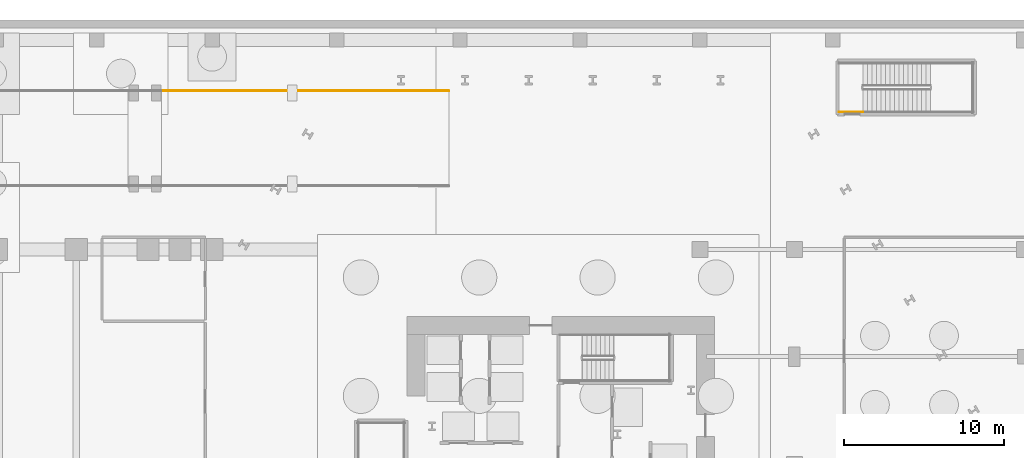
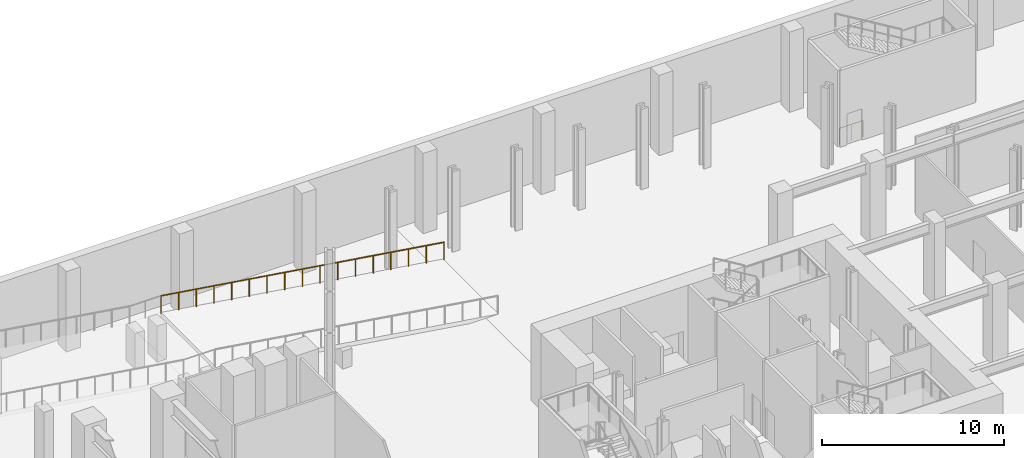
# One storey, part 14 of 16: 2 railings.
"""IFC4 building model written with IfcOpenShell, lengths in metres."""

import ifcopenshell
import ifcopenshell.guid

model = None  # the IFC model being written
_history = None  # IfcOwnerHistory: only IFC2X3 demands one
_inside = {}  # id of a spatial element -> (the spatial element, [elements in it])
_under = {}  # id of a project, library or spatial element -> (it, [spatial elements below it])
_declared = {}  # id of a project -> (the project, [libraries it declares])
_typed = {}  # id of a type object -> (the type object, [elements of that type])
_made_of = {}  # id of a material, layer set ... -> (it, [elements and type objects made of it])


def new_model(schema):
    """Start an empty IFC model of exactly this schema.

    Asked for "IFC4X3", IfcOpenShell would pick the latest addendum, in which some entities
    have other attributes; the version numbers below select the first issue.
    IFC2X3 requires an IfcOwnerHistory on every rooted entity: one is made here for all.
    """
    global model, _history
    if schema == "IFC4X3":
        model = ifcopenshell.file(schema_version=(4, 3, 0, 0))
    else:
        model = ifcopenshell.file(schema=schema)
    _inside.clear()
    _under.clear()
    _declared.clear()
    _typed.clear()
    _made_of.clear()
    _history = None
    if model.schema == "IFC2X3":
        org = make("IfcOrganization", Name="unknown")
        user = make(
            "IfcPersonAndOrganization",
            ThePerson=make("IfcPerson", FamilyName="unknown"),
            TheOrganization=org,
        )
        app = make(
            "IfcApplication",
            ApplicationDeveloper=org,
            Version="unknown",
            ApplicationFullName="unknown",
            ApplicationIdentifier="unknown",
        )
        _history = make(
            "IfcOwnerHistory",
            OwningUser=user,
            OwningApplication=app,
            ChangeAction="ADDED",
            CreationDate=0,
        )
    return model


def make(cls, **values):
    """One entity of the class cls with the attributes given. An attribute that is None is left unset."""
    return model.create_entity(
        cls, **{name: value for name, value in values.items() if value is not None}
    )


def rooted(cls, **values):
    """An entity with a GlobalId (a new one), such as an element, a storey or a relation."""
    return make(cls, GlobalId=ifcopenshell.guid.new(), OwnerHistory=_history, **values)


def si_unit(unit_type, name, prefix=None):
    """IfcSIUnit, for example si_unit("LENGTHUNIT", "METRE", prefix="MILLI")."""
    return make("IfcSIUnit", UnitType=unit_type, Prefix=prefix, Name=name)


def assignment(units):
    """IfcUnitAssignment: the units of a project."""
    return None if units is None else make("IfcUnitAssignment", Units=units)


def point(xyz):
    """IfcCartesianPoint."""
    return None if xyz is None else make("IfcCartesianPoint", Coordinates=xyz)


def direction(xyz):
    """IfcDirection."""
    return None if xyz is None else make("IfcDirection", DirectionRatios=xyz)


def frame(location, z_axis=None, x_axis=None):
    """IfcAxis2Placement3D, a coordinate frame: its origin and axes. An axis left out is left unset."""
    return make(
        "IfcAxis2Placement3D",
        Location=point(location),
        Axis=direction(z_axis),
        RefDirection=direction(x_axis),
    )


def frame_2d(location, x_axis=None):
    """IfcAxis2Placement2D, a coordinate frame in the plane: its origin and x axis."""
    return make(
        "IfcAxis2Placement2D", Location=point(location), RefDirection=direction(x_axis)
    )


def origin():
    """The frame at (0, 0, 0) with its axes left unset."""
    return frame((0.0, 0.0, 0.0))


def origin_2d():
    """The frame at (0, 0) in the plane with its x axis left unset."""
    return frame_2d((0.0, 0.0))


def place(relative_to, where):
    """IfcLocalPlacement: puts the frame where relative to a parent placement (None: the world)."""
    return make(
        "IfcLocalPlacement", PlacementRelTo=relative_to, RelativePlacement=where
    )


def context(
    kind, dimensions, precision=None, world=None, true_north=None, identifier=None
):
    """IfcGeometricRepresentationContext, for example the 3D "Model" context."""
    return make(
        "IfcGeometricRepresentationContext",
        ContextIdentifier=identifier,
        ContextType=kind,
        CoordinateSpaceDimension=dimensions,
        Precision=precision,
        WorldCoordinateSystem=world,
        TrueNorth=true_north,
    )


def subcontext(parent, identifier, kind, view, scale=None):
    """IfcGeometricRepresentationSubContext, for example "Body" below "Model"."""
    return make(
        "IfcGeometricRepresentationSubContext",
        ContextIdentifier=identifier,
        ContextType=kind,
        ParentContext=parent,
        TargetScale=scale,
        TargetView=view,
    )


def project(units=None, contexts=None):
    """IfcProject with its units and contexts."""
    return rooted(
        "IfcProject",
        Name="project",
        RepresentationContexts=contexts,
        UnitsInContext=assignment(units),
    )


def spatial(cls, under=None, at=None, **own):
    """A site, building, storey or space (cls), placed at a placement, below another one or the project."""
    s = rooted(cls, ObjectPlacement=at, **own)
    if under is not None:
        _under.setdefault(under.id(), (under, []))[1].append(s)
    return s


def profile(cls, at=None, kind="AREA", **sizes):
    """A parametric profile (cls). Its sizes go by their IFC names, for example OverallWidth=200.0."""
    return make(cls, ProfileType=kind, Position=at, **sizes)


def circle(**sizes):
    """IfcCircleProfileDef."""
    return profile("IfcCircleProfileDef", **sizes)


def extrude(swept, where, along, depth):
    """IfcExtrudedAreaSolid: the profile swept, set in the frame where, extruded along a direction by depth."""
    return make(
        "IfcExtrudedAreaSolid",
        SweptArea=swept,
        Position=where,
        ExtrudedDirection=direction(along),
        Depth=depth,
    )


def shape(context_of_items, identifier, shape_type, items):
    """IfcShapeRepresentation: the items that make up one representation, for example the "Body"."""
    return make(
        "IfcShapeRepresentation",
        ContextOfItems=context_of_items,
        RepresentationIdentifier=identifier,
        RepresentationType=shape_type,
        Items=items,
    )


def material(Name=None, Category=None):
    """IfcMaterial."""
    return make("IfcMaterial", Name=Name, Category=Category)


def made_of(thing, what):
    """Note that an element or type object is made of a material, layer set ...; save() writes the relation."""
    if what is not None:
        _made_of.setdefault(what.id(), (what, []))[1].append(thing)
    return thing


def type_object(cls, material=None, **own):
    """A type object (cls), such as IfcWallType, which elements share."""
    return made_of(rooted(cls, **own), material)


def element(
    cls,
    number,
    at=None,
    inside=None,
    cuts=None,
    type_object=None,
    material=None,
    context=None,
    identifier="Body",
    shape_type=None,
    held_by="IfcProductDefinitionShape",
    body=None,
    shapes=None,
    **own,
):
    """One element of the class cls, such as IfcWall. Its Tag is "e" and its number.

    at: its placement. inside: the storey or other place that contains it. cuts: it is an
    opening in that element (IfcRelVoidsElement). A single representation is given by context,
    identifier, shape_type and body (its items); several are given by shapes. held_by: the class
    of the entity that holds the representations. save() writes the other relations.
    """
    e = rooted(cls, Tag="e%d" % number, ObjectPlacement=at, **own)
    if body is not None:
        shapes = [shape(context, identifier, shape_type, body)]
    if shapes is not None:
        e.Representation = make(held_by, Representations=shapes)
    if inside is not None:
        _inside.setdefault(inside.id(), (inside, []))[1].append(e)
    if cuts is not None:
        rooted(
            "IfcRelVoidsElement", RelatingBuildingElement=cuts, RelatedOpeningElement=e
        )
    if type_object is not None:
        _typed.setdefault(type_object.id(), (type_object, []))[1].append(e)
    return made_of(e, material)


def aggregate(whole, parts):
    """IfcRelAggregates: a whole, such as a stair, and the parts it consists of."""
    return rooted("IfcRelAggregates", RelatingObject=whole, RelatedObjects=parts)


def save(model, path):
    """Write the relations noted so far, then the file.

    IfcRelAggregates (storeys below a building ...), IfcRelContainedInSpatialStructure (elements
    in a storey), IfcRelDefinesByType, IfcRelAssociatesMaterial and IfcRelDeclares: one each for
    every whole, place, type object, material and project.
    """
    for whole, parts in _under.values():
        aggregate(whole, parts)
    for where, things in _inside.values():
        rooted(
            "IfcRelContainedInSpatialStructure",
            RelatedElements=things,
            RelatingStructure=where,
        )
    for kind, things in _typed.values():
        rooted("IfcRelDefinesByType", RelatedObjects=things, RelatingType=kind)
    for what, things in _made_of.values():
        rooted("IfcRelAssociatesMaterial", RelatedObjects=things, RelatingMaterial=what)
    for by, libraries in _declared.values():
        rooted("IfcRelDeclares", RelatingContext=by, RelatedDefinitions=libraries)
    model.write(path)


model = new_model("IFC4")

# Units and contexts
model_context = context("Model", 3, precision=1e-05, world=origin(), true_north=direction((0.0, 1.0)))
body_context = subcontext(model_context, "Body", "Model", "MODEL_VIEW")
ifc_project = project(units=[si_unit("LENGTHUNIT", "METRE"), si_unit("AREAUNIT", "SQUARE_METRE"), si_unit("VOLUMEUNIT", "CUBIC_METRE"), si_unit("PLANEANGLEUNIT", "RADIAN"), si_unit("MASSUNIT", "GRAM", prefix="KILO")], contexts=[model_context])

# Site, building, storey
site_placement = place(None, origin())
site = spatial("IfcSite", under=ifc_project, at=site_placement, CompositionType="ELEMENT")
building_placement = place(site_placement, origin())
building = spatial("IfcBuilding", under=site, at=building_placement, Name="Valkerne Bourse Tower", CompositionType="ELEMENT")
storey_placement = place(building_placement, frame((0.0, 0.0, -5.39990234375)))
storey = spatial("IfcBuildingStorey", under=building, at=storey_placement, Name="B1", CompositionType="ELEMENT", Elevation=-5.39990234375)

# Railings
ifc_material_1 = material(Name="Stainless Steel AISI 316", Category="steel")
railing_type_1 = type_object("IfcRailingType", Name="RLG-PORTAL-1200", PredefinedType="GUARDRAIL", material=ifc_material_1)
railing_1_placement = place(storey_placement, frame((39.800048828125, 50.3701171875, 0.0)))
element("IfcRailing", 1, at=railing_1_placement, inside=storey, type_object=railing_type_1, Name="B1 Vehicle Ramp Side Guard N-F1", PredefinedType="GUARDRAIL", context=body_context, shape_type="SweptSolid", body=[
    extrude(circle(Radius=0.02392578125, at=origin_2d()), frame((0.0, 0.0, 1.17578125), z_axis=(-0.988936746409, 0.0, 0.148337829299), x_axis=(0.0, -1.0, 0.0)), (0.0, 0.0, 1.0), 18.201416015625),
    extrude(circle(Radius=0.02099609375, at=origin_2d()), origin(), (0.0, 0.0, 1.0), 1.15185546875),
    extrude(circle(Radius=0.02099609375, at=origin_2d()), frame((-1.125, 0.0, 0.168701171875)), (0.0, 0.0, 1.0), 1.15185546875),
    extrude(circle(Radius=0.02099609375, at=origin_2d()), frame((-2.25, 0.0, 0.33740234375)), (0.0, 0.0, 1.0), 1.15185546875),
    extrude(circle(Radius=0.02099609375, at=origin_2d()), frame((-3.375, 0.0, 0.50634765625)), (0.0, 0.0, 1.0), 1.15185546875),
    extrude(circle(Radius=0.02099609375, at=origin_2d()), frame((-4.5, 0.0, 0.675048828125)), (0.0, 0.0, 1.0), 1.15185546875),
    extrude(circle(Radius=0.02099609375, at=origin_2d()), frame((-5.625, 0.0, 0.84375)), (0.0, 0.0, 1.0), 1.15185546875),
    extrude(circle(Radius=0.02099609375, at=origin_2d()), frame((-6.75, 0.0, 1.012451171875)), (0.0, 0.0, 1.0), 1.15185546875),
    extrude(circle(Radius=0.02099609375, at=origin_2d()), frame((-7.875, 0.0, 1.18115234375)), (0.0, 0.0, 1.0), 1.15185546875),
    extrude(circle(Radius=0.02099609375, at=origin_2d()), frame((-9.0, 0.0, 1.35009765625)), (0.0, 0.0, 1.0), 1.15185546875),
    extrude(circle(Radius=0.02099609375, at=origin_2d()), frame((-10.125, 0.0, 1.518798828125)), (0.0, 0.0, 1.0), 1.15185546875),
    extrude(circle(Radius=0.02099609375, at=origin_2d()), frame((-11.25, 0.0, 1.6875)), (0.0, 0.0, 1.0), 1.15185546875),
    extrude(circle(Radius=0.02099609375, at=origin_2d()), frame((-12.375, 0.0, 1.856201171875)), (0.0, 0.0, 1.0), 1.15185546875),
    extrude(circle(Radius=0.02099609375, at=origin_2d()), frame((-13.5, 0.0, 2.02490234375)), (0.0, 0.0, 1.0), 1.15185546875),
    extrude(circle(Radius=0.02099609375, at=origin_2d()), frame((-14.625, 0.0, 2.193603515625)), (0.0, 0.0, 1.0), 1.15185546875),
    extrude(circle(Radius=0.02099609375, at=origin_2d()), frame((-15.75, 0.0, 2.362548828125)), (0.0, 0.0, 1.0), 1.15185546875),
    extrude(circle(Radius=0.02099609375, at=origin_2d()), frame((-16.875, 0.0, 2.53125)), (0.0, 0.0, 1.0), 1.15185546875),
    extrude(circle(Radius=0.02099609375, at=origin_2d()), frame((-18.0, 0.0, 2.699951171875)), (0.0, 0.0, 1.0), 1.15185546875),
])
ifc_material_2 = material(Name="Galvanised Painted Steel", Category="steel")
railing_type_2 = type_object("IfcRailingType", Name="RLG-ST-GUARD-1120", PredefinedType="GUARDRAIL", material=ifc_material_2)
railing_2_placement = place(storey_placement, frame((64.199951171875, 49.050048828125, 0.0)))
element("IfcRailing", 2, at=railing_2_placement, inside=storey, type_object=railing_type_2, Name="B1 ST-P2 stair guard 8", PredefinedType="GUARDRAIL", context=body_context, shape_type="SweptSolid", body=[
    extrude(circle(Radius=0.02392578125, at=origin_2d()), frame((0.0, 0.0, 1.09619140625), z_axis=(1.0, 0.0, 0.0), x_axis=(0.0, 1.0, 0.0)), (0.0, 0.0, 1.0), 1.5),
    extrude(circle(Radius=0.02099609375, at=origin_2d()), origin(), (0.0, 0.0, 1.0), 1.072021484375),
    extrude(circle(Radius=0.02099609375, at=origin_2d()), frame((0.75, 0.0, 0.0)), (0.0, 0.0, 1.0), 1.072021484375),
    extrude(circle(Radius=0.02099609375, at=origin_2d()), frame((1.5, 0.0, 0.0)), (0.0, 0.0, 1.0), 1.072021484375),
])

save(model, "model.ifc")
